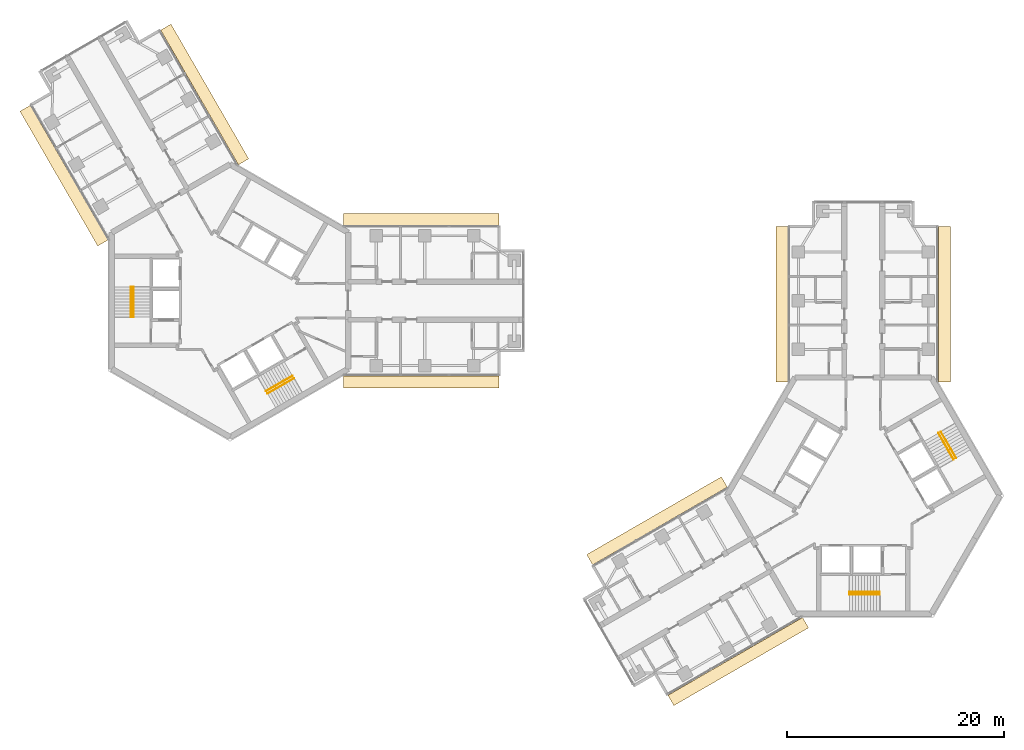
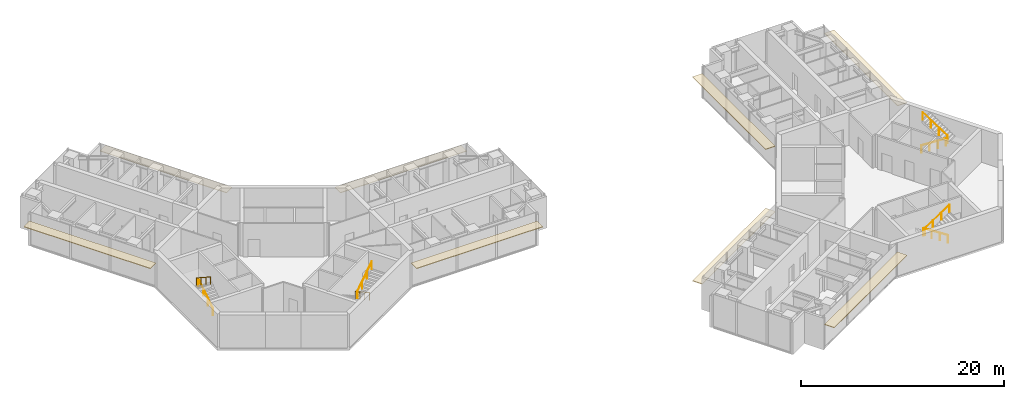
# One storey, part 17 of 17: 8 coverings, 8 railings.
"""IFC4 building model written with IfcOpenShell, lengths in metres."""

from ifc_helpers import new_model, si_unit, direction, frame, origin, origin_2d, place, context, subcontext, project, spatial, rectangle, circle, extrude, material, layer, layer_set, type_object, element, save


model = new_model("IFC4")

# Units and contexts
model_context = context("Model", 3, precision=1e-05, world=origin(), true_north=direction((0.0, 1.0)))
body_context = subcontext(model_context, "Body", "Model", "MODEL_VIEW")
ifc_project = project(units=[si_unit("LENGTHUNIT", "METRE"), si_unit("AREAUNIT", "SQUARE_METRE"), si_unit("VOLUMEUNIT", "CUBIC_METRE"), si_unit("PLANEANGLEUNIT", "RADIAN"), si_unit("MASSUNIT", "GRAM", prefix="KILO")], contexts=[model_context])

# Site, building, storey
site_placement = place(None, origin())
site = spatial("IfcSite", under=ifc_project, at=site_placement, CompositionType="ELEMENT")
building_placement = place(site_placement, origin())
building = spatial("IfcBuilding", under=site, at=building_placement, Name="Upepo Twin Towers", CompositionType="ELEMENT")
storey_placement = place(building_placement, frame((0.0, 0.0, 202.5)))
storey = spatial("IfcBuildingStorey", under=building, at=storey_placement, Name="L49", CompositionType="ELEMENT", Elevation=202.5)

# Coverings
ifc_material_1 = material(Name="Anodised aluminium, pale silver", Category="aluminium")
ifc_layer = layer(ifc_material_1, 0.080078125)
ifc_layer_set = layer_set([ifc_layer], Name="Brise-soleil blade 1100 pale aluminium")
covering_type = type_object("IfcCoveringType", Name="Brise-soleil blade 1100 pale aluminium", PredefinedType="USERDEFINED", material=ifc_layer_set)
for number, where, z_axis, x_axis, name in (
    (1, (17.66845703125, 7.50244140625, 2.909912109375), (0.0, 0.0, 1.0), (1.0, 0.0, 0.0), "T1 L49 wing A brise-soleil L"),
    (2, (17.66845703125, -7.50244140625, 2.909912109375), (0.0, 0.0, 1.0), (1.0, 0.0, 0.0), "T1 L49 wing A brise-soleil R"),
    (3, (-15.33154296875, 11.550048828125, 2.909912109375), (0.0, 0.0, 1.0), (-0.50000003023, 0.866025386331, 0.0), "T1 L49 wing B brise-soleil L"),
    (4, (-2.3369140625, 19.052734375, 2.909912109375), (0.0, 0.0, 1.0), (-0.49999996977, 0.866025421238, 0.0), "T1 L49 wing B brise-soleil R"),
    (5, (50.99755859375, -0.33154296875, 2.909912109375), (0.0, 0.0, 1.0), (0.0, 1.0, 0.0), "T2 L49 wing A brise-soleil L"),
    (6, (66.00244140625, -0.33154296875, 2.909912109375), (0.0, 0.0, 1.0), (0.0, 1.0, 0.0), "T2 L49 wing A brise-soleil R"),
    (7, (46.949951171875, -33.33154296875, 2.909912109375), (0.0, 0.0, 1.0), (-0.866025386331, -0.50000003023, 0.0), "T2 L49 wing B brise-soleil L"),
    (8, (39.447265625, -20.3369140625, 2.909912109375), (0.0, 0.0, 1.0), (-0.866025421238, -0.49999996977, 0.0), "T2 L49 wing B brise-soleil R"),
):
    element("IfcCovering", number, at=place(storey_placement, frame(where, z_axis=z_axis, x_axis=x_axis)), inside=storey, type_object=covering_type, Name=name, ObjectType="SUNSHADE", PredefinedType="USERDEFINED", context=body_context, shape_type="SweptSolid", body=[
        extrude(rectangle(XDim=14.36279296875, YDim=1.10009765625, at=origin_2d()), origin(), (0.0, 0.0, 1.0), 0.080078125),
    ])

# Railings
ifc_material_2 = material(Name="Stainless steel", Category="steel")
railing_type = type_object("IfcRailingType", Name="Stair handrail 900", PredefinedType="HANDRAIL", material=ifc_material_2)
railing_1_placement = place(storey_placement, frame((-8.89990234375, -1.52001953125, 0.181884765625)))
element("IfcRailing", 9, at=railing_1_placement, inside=storey, type_object=railing_type, Name="T1 stair S1 L49 handrail 1", PredefinedType="HANDRAIL", context=body_context, shape_type="SweptSolid", body=[
    extrude(circle(Radius=0.02392578125, at=origin_2d()), frame((0.0, 0.0, 0.8759765625), z_axis=(0.0, 0.838705829183, 0.544584733623), x_axis=(-1.0, 0.0, 0.0)), (0.0, 0.0, 1.0), 3.338623046875),
    extrude(circle(Radius=0.02099609375, at=origin_2d()), origin(), (0.0, 0.0, 1.0), 0.851806640625),
    extrude(circle(Radius=0.02099609375, at=origin_2d()), frame((0.0, 0.933349609375, 0.60595703125)), (0.0, 0.0, 1.0), 0.851806640625),
    extrude(circle(Radius=0.02099609375, at=origin_2d()), frame((0.0, 1.86669921875, 1.212158203125)), (0.0, 0.0, 1.0), 0.851806640625),
    extrude(circle(Radius=0.02099609375, at=origin_2d()), frame((0.0, 2.800048828125, 1.818115234375)), (0.0, 0.0, 1.0), 0.851806640625),
])
railing_2_placement = place(storey_placement, frame((-9.158447265625, 1.280029296875, 2.181884765625)))
element("IfcRailing", 10, at=railing_2_placement, inside=storey, type_object=railing_type, Name="T1 stair S1 L49 handrail 2", PredefinedType="HANDRAIL", context=body_context, shape_type="SweptSolid", body=[
    extrude(circle(Radius=0.02392578125, at=origin_2d()), frame((0.0, 0.0, 0.8759765625), z_axis=(0.0, -0.838705829183, 0.544584733623), x_axis=(1.0, 0.0, 0.0)), (0.0, 0.0, 1.0), 3.338623046875),
    extrude(circle(Radius=0.02099609375, at=origin_2d()), origin(), (0.0, 0.0, 1.0), 0.851806640625),
    extrude(circle(Radius=0.02099609375, at=origin_2d()), frame((0.0, -0.933349609375, 0.60595703125)), (0.0, 0.0, 1.0), 0.851806640625),
    extrude(circle(Radius=0.02099609375, at=origin_2d()), frame((0.0, -1.86669921875, 1.212158203125)), (0.0, 0.0, 1.0), 0.851806640625),
    extrude(circle(Radius=0.02099609375, at=origin_2d()), frame((0.0, -2.800048828125, 1.818115234375)), (0.0, 0.0, 1.0), 0.851806640625),
])
railing_3_placement = place(storey_placement, frame((5.766357421875, -6.947509765625, 0.181884765625)))
element("IfcRailing", 11, at=railing_3_placement, inside=storey, type_object=railing_type, Name="T1 stair S2 L49 handrail 1", PredefinedType="HANDRAIL", context=body_context, shape_type="SweptSolid", body=[
    extrude(circle(Radius=0.02392578125, at=origin_2d()), frame((0.0, 0.0, 0.8759765625), z_axis=(-0.726314030065, -0.419392968428, 0.544589265193), x_axis=(0.500049511043, -0.865996816683, 0.0)), (0.0, 0.0, 1.0), 3.338623046875),
    extrude(circle(Radius=0.02099609375, at=origin_2d()), origin(), (0.0, 0.0, 1.0), 0.851806640625),
    extrude(circle(Radius=0.02099609375, at=origin_2d()), frame((-0.808349609375, -0.466796875, 0.60595703125)), (0.0, 0.0, 1.0), 0.851806640625),
    extrude(circle(Radius=0.02099609375, at=origin_2d()), frame((-1.616455078125, -0.933349609375, 1.212158203125)), (0.0, 0.0, 1.0), 0.851806640625),
    extrude(circle(Radius=0.02099609375, at=origin_2d()), frame((-2.4248046875, -1.400146484375, 1.818115234375)), (0.0, 0.0, 1.0), 0.851806640625),
])
railing_4_placement = place(storey_placement, frame((3.470703125, -8.5712890625, 2.181884765625)))
element("IfcRailing", 12, at=railing_4_placement, inside=storey, type_object=railing_type, Name="T1 stair S2 L49 handrail 2", PredefinedType="HANDRAIL", context=body_context, shape_type="SweptSolid", body=[
    extrude(circle(Radius=0.02392578125, at=origin_2d()), frame((0.0, 0.0, 0.8759765625), z_axis=(0.726336304947, 0.419332699614, 0.544605966869), x_axis=(-0.49998411664, 0.866034573852, 0.0)), (0.0, 0.0, 1.0), 3.33837890625),
    extrude(circle(Radius=0.02099609375, at=origin_2d()), origin(), (0.0, 0.0, 1.0), 0.851806640625),
    extrude(circle(Radius=0.02099609375, at=origin_2d()), frame((0.808349609375, 0.466552734375, 0.60595703125)), (0.0, 0.0, 1.0), 0.851806640625),
    extrude(circle(Radius=0.02099609375, at=origin_2d()), frame((1.616455078125, 0.933349609375, 1.212158203125)), (0.0, 0.0, 1.0), 0.851806640625),
    extrude(circle(Radius=0.02099609375, at=origin_2d()), frame((2.4248046875, 1.39990234375, 1.818115234375)), (0.0, 0.0, 1.0), 0.851806640625),
])
railing_5_placement = place(storey_placement, frame((60.02001953125, -26.89990234375, 0.181884765625)))
element("IfcRailing", 13, at=railing_5_placement, inside=storey, type_object=railing_type, Name="T2 stair S1 L49 handrail 1", PredefinedType="HANDRAIL", context=body_context, shape_type="SweptSolid", body=[
    extrude(circle(Radius=0.02392578125, at=origin_2d()), frame((0.0, 0.0, 0.8759765625), z_axis=(-0.838705829183, 0.0, 0.544584733623), x_axis=(0.0, -1.0, 0.0)), (0.0, 0.0, 1.0), 3.338623046875),
    extrude(circle(Radius=0.02099609375, at=origin_2d()), origin(), (0.0, 0.0, 1.0), 0.851806640625),
    extrude(circle(Radius=0.02099609375, at=origin_2d()), frame((-0.933349609375, 0.0, 0.60595703125)), (0.0, 0.0, 1.0), 0.851806640625),
    extrude(circle(Radius=0.02099609375, at=origin_2d()), frame((-1.86669921875, 0.0, 1.212158203125)), (0.0, 0.0, 1.0), 0.851806640625),
    extrude(circle(Radius=0.02099609375, at=origin_2d()), frame((-2.800048828125, 0.0, 1.818115234375)), (0.0, 0.0, 1.0), 0.851806640625),
])
railing_6_placement = place(storey_placement, frame((57.219970703125, -27.158447265625, 2.181884765625)))
element("IfcRailing", 14, at=railing_6_placement, inside=storey, type_object=railing_type, Name="T2 stair S1 L49 handrail 2", PredefinedType="HANDRAIL", context=body_context, shape_type="SweptSolid", body=[
    extrude(circle(Radius=0.02392578125, at=origin_2d()), frame((0.0, 0.0, 0.8759765625), z_axis=(0.838705829183, 0.0, 0.544584733623), x_axis=(0.0, 1.0, 0.0)), (0.0, 0.0, 1.0), 3.338623046875),
    extrude(circle(Radius=0.02099609375, at=origin_2d()), origin(), (0.0, 0.0, 1.0), 0.851806640625),
    extrude(circle(Radius=0.02099609375, at=origin_2d()), frame((0.933349609375, 0.0, 0.60595703125)), (0.0, 0.0, 1.0), 0.851806640625),
    extrude(circle(Radius=0.02099609375, at=origin_2d()), frame((1.86669921875, 0.0, 1.212158203125)), (0.0, 0.0, 1.0), 0.851806640625),
    extrude(circle(Radius=0.02099609375, at=origin_2d()), frame((2.800048828125, 0.0, 1.818115234375)), (0.0, 0.0, 1.0), 0.851806640625),
])
railing_7_placement = place(storey_placement, frame((65.447509765625, -12.233642578125, 0.181884765625)))
element("IfcRailing", 15, at=railing_7_placement, inside=storey, type_object=railing_type, Name="T2 stair S2 L49 handrail 1", PredefinedType="HANDRAIL", context=body_context, shape_type="SweptSolid", body=[
    extrude(circle(Radius=0.02392578125, at=origin_2d()), frame((0.0, 0.0, 0.8759765625), z_axis=(0.419392968428, -0.726314030065, 0.544589265193), x_axis=(0.865996816683, 0.500049511043, 0.0)), (0.0, 0.0, 1.0), 3.338623046875),
    extrude(circle(Radius=0.02099609375, at=origin_2d()), origin(), (0.0, 0.0, 1.0), 0.851806640625),
    extrude(circle(Radius=0.02099609375, at=origin_2d()), frame((0.466796875, -0.808349609375, 0.60595703125)), (0.0, 0.0, 1.0), 0.851806640625),
    extrude(circle(Radius=0.02099609375, at=origin_2d()), frame((0.933349609375, -1.616455078125, 1.212158203125)), (0.0, 0.0, 1.0), 0.851806640625),
    extrude(circle(Radius=0.02099609375, at=origin_2d()), frame((1.400146484375, -2.4248046875, 1.818115234375)), (0.0, 0.0, 1.0), 0.851806640625),
])
railing_8_placement = place(storey_placement, frame((67.0712890625, -14.529296875, 2.181884765625)))
element("IfcRailing", 16, at=railing_8_placement, inside=storey, type_object=railing_type, Name="T2 stair S2 L49 handrail 2", PredefinedType="HANDRAIL", context=body_context, shape_type="SweptSolid", body=[
    extrude(circle(Radius=0.02392578125, at=origin_2d()), frame((0.0, 0.0, 0.8759765625), z_axis=(-0.419332699614, 0.726336304947, 0.544605966869), x_axis=(-0.866034573852, -0.49998411664, 0.0)), (0.0, 0.0, 1.0), 3.33837890625),
    extrude(circle(Radius=0.02099609375, at=origin_2d()), origin(), (0.0, 0.0, 1.0), 0.851806640625),
    extrude(circle(Radius=0.02099609375, at=origin_2d()), frame((-0.466552734375, 0.808349609375, 0.60595703125)), (0.0, 0.0, 1.0), 0.851806640625),
    extrude(circle(Radius=0.02099609375, at=origin_2d()), frame((-0.933349609375, 1.616455078125, 1.212158203125)), (0.0, 0.0, 1.0), 0.851806640625),
    extrude(circle(Radius=0.02099609375, at=origin_2d()), frame((-1.39990234375, 2.4248046875, 1.818115234375)), (0.0, 0.0, 1.0), 0.851806640625),
])

save(model, "model.ifc")
